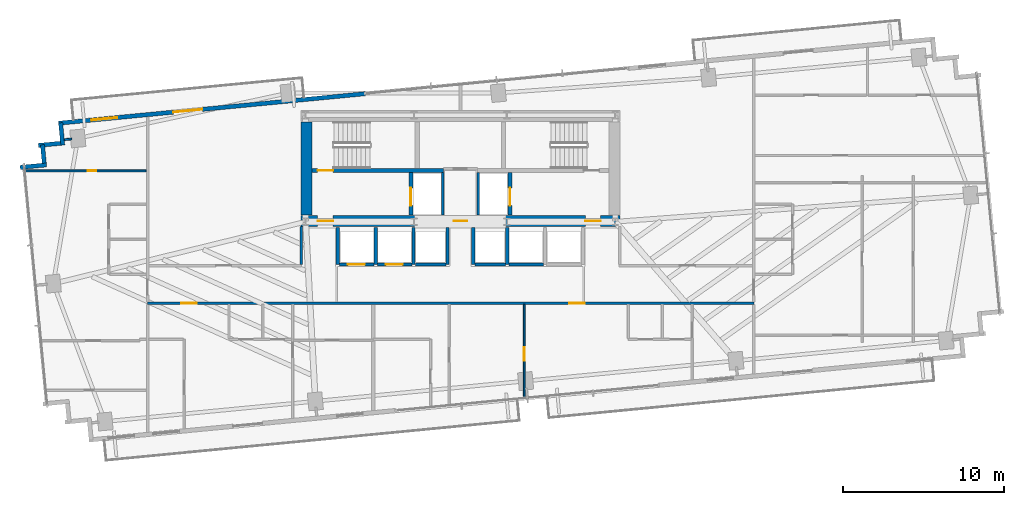
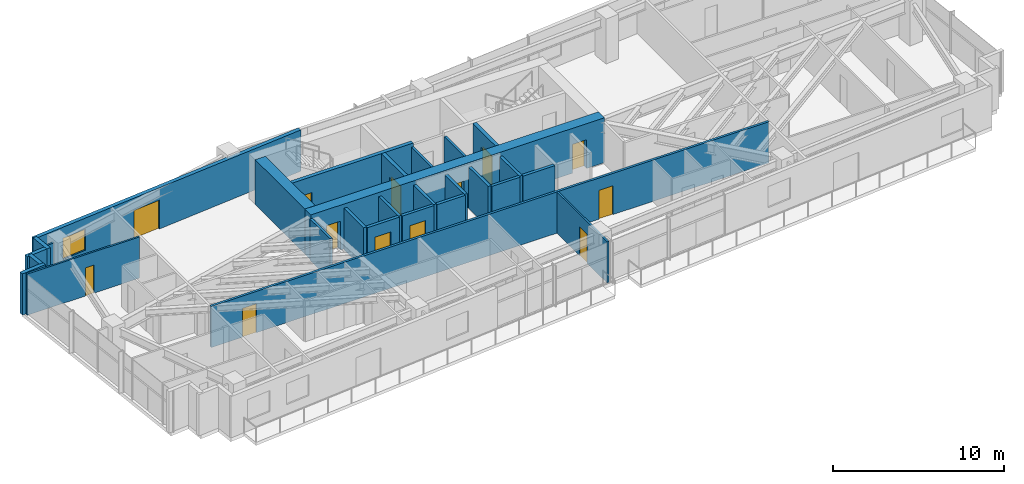
# One storey, part 20 of 25: 28 walls, 13 doors, 1 window, 14 openings.
"""IFC4 building model written with IfcOpenShell, lengths in metres."""

import ifcopenshell
import ifcopenshell.guid

model = None  # the IFC model being written
_history = None  # IfcOwnerHistory: only IFC2X3 demands one
_inside = {}  # id of a spatial element -> (the spatial element, [elements in it])
_under = {}  # id of a project, library or spatial element -> (it, [spatial elements below it])
_declared = {}  # id of a project -> (the project, [libraries it declares])
_typed = {}  # id of a type object -> (the type object, [elements of that type])
_made_of = {}  # id of a material, layer set ... -> (it, [elements and type objects made of it])


def new_model(schema):
    """Start an empty IFC model of exactly this schema.

    Asked for "IFC4X3", IfcOpenShell would pick the latest addendum, in which some entities
    have other attributes; the version numbers below select the first issue.
    IFC2X3 requires an IfcOwnerHistory on every rooted entity: one is made here for all.
    """
    global model, _history
    if schema == "IFC4X3":
        model = ifcopenshell.file(schema_version=(4, 3, 0, 0))
    else:
        model = ifcopenshell.file(schema=schema)
    _inside.clear()
    _under.clear()
    _declared.clear()
    _typed.clear()
    _made_of.clear()
    _history = None
    if model.schema == "IFC2X3":
        org = make("IfcOrganization", Name="unknown")
        user = make(
            "IfcPersonAndOrganization",
            ThePerson=make("IfcPerson", FamilyName="unknown"),
            TheOrganization=org,
        )
        app = make(
            "IfcApplication",
            ApplicationDeveloper=org,
            Version="unknown",
            ApplicationFullName="unknown",
            ApplicationIdentifier="unknown",
        )
        _history = make(
            "IfcOwnerHistory",
            OwningUser=user,
            OwningApplication=app,
            ChangeAction="ADDED",
            CreationDate=0,
        )
    return model


def make(cls, **values):
    """One entity of the class cls with the attributes given. An attribute that is None is left unset."""
    return model.create_entity(
        cls, **{name: value for name, value in values.items() if value is not None}
    )


def rooted(cls, **values):
    """An entity with a GlobalId (a new one), such as an element, a storey or a relation."""
    return make(cls, GlobalId=ifcopenshell.guid.new(), OwnerHistory=_history, **values)


def si_unit(unit_type, name, prefix=None):
    """IfcSIUnit, for example si_unit("LENGTHUNIT", "METRE", prefix="MILLI")."""
    return make("IfcSIUnit", UnitType=unit_type, Prefix=prefix, Name=name)


def assignment(units):
    """IfcUnitAssignment: the units of a project."""
    return None if units is None else make("IfcUnitAssignment", Units=units)


def point(xyz):
    """IfcCartesianPoint."""
    return None if xyz is None else make("IfcCartesianPoint", Coordinates=xyz)


def direction(xyz):
    """IfcDirection."""
    return None if xyz is None else make("IfcDirection", DirectionRatios=xyz)


def frame(location, z_axis=None, x_axis=None):
    """IfcAxis2Placement3D, a coordinate frame: its origin and axes. An axis left out is left unset."""
    return make(
        "IfcAxis2Placement3D",
        Location=point(location),
        Axis=direction(z_axis),
        RefDirection=direction(x_axis),
    )


def frame_2d(location, x_axis=None):
    """IfcAxis2Placement2D, a coordinate frame in the plane: its origin and x axis."""
    return make(
        "IfcAxis2Placement2D", Location=point(location), RefDirection=direction(x_axis)
    )


def origin():
    """The frame at (0, 0, 0) with its axes left unset."""
    return frame((0.0, 0.0, 0.0))


def place(relative_to, where):
    """IfcLocalPlacement: puts the frame where relative to a parent placement (None: the world)."""
    return make(
        "IfcLocalPlacement", PlacementRelTo=relative_to, RelativePlacement=where
    )


def context(
    kind, dimensions, precision=None, world=None, true_north=None, identifier=None
):
    """IfcGeometricRepresentationContext, for example the 3D "Model" context."""
    return make(
        "IfcGeometricRepresentationContext",
        ContextIdentifier=identifier,
        ContextType=kind,
        CoordinateSpaceDimension=dimensions,
        Precision=precision,
        WorldCoordinateSystem=world,
        TrueNorth=true_north,
    )


def subcontext(parent, identifier, kind, view, scale=None):
    """IfcGeometricRepresentationSubContext, for example "Body" below "Model"."""
    return make(
        "IfcGeometricRepresentationSubContext",
        ContextIdentifier=identifier,
        ContextType=kind,
        ParentContext=parent,
        TargetScale=scale,
        TargetView=view,
    )


def project(units=None, contexts=None):
    """IfcProject with its units and contexts."""
    return rooted(
        "IfcProject",
        Name="project",
        RepresentationContexts=contexts,
        UnitsInContext=assignment(units),
    )


def spatial(cls, under=None, at=None, **own):
    """A site, building, storey or space (cls), placed at a placement, below another one or the project."""
    s = rooted(cls, ObjectPlacement=at, **own)
    if under is not None:
        _under.setdefault(under.id(), (under, []))[1].append(s)
    return s


def profile(cls, at=None, kind="AREA", **sizes):
    """A parametric profile (cls). Its sizes go by their IFC names, for example OverallWidth=200.0."""
    return make(cls, ProfileType=kind, Position=at, **sizes)


def rectangle(**sizes):
    """IfcRectangleProfileDef."""
    return profile("IfcRectangleProfileDef", **sizes)


def extrude(swept, where, along, depth):
    """IfcExtrudedAreaSolid: the profile swept, set in the frame where, extruded along a direction by depth."""
    return make(
        "IfcExtrudedAreaSolid",
        SweptArea=swept,
        Position=where,
        ExtrudedDirection=direction(along),
        Depth=depth,
    )


def shape(context_of_items, identifier, shape_type, items):
    """IfcShapeRepresentation: the items that make up one representation, for example the "Body"."""
    return make(
        "IfcShapeRepresentation",
        ContextOfItems=context_of_items,
        RepresentationIdentifier=identifier,
        RepresentationType=shape_type,
        Items=items,
    )


def source(mapping_origin, context_of_items, identifier, shape_type, items):
    """IfcRepresentationMap: a shape defined once, which mapped items show again and again."""
    return make(
        "IfcRepresentationMap",
        MappingOrigin=mapping_origin,
        MappedRepresentation=shape(context_of_items, identifier, shape_type, items),
    )


def transform(
    local_origin,
    x_axis=None,
    y_axis=None,
    z_axis=None,
    scale=None,
    scale2=None,
    scale3=None,
    uniform=True,
):
    """IfcCartesianTransformationOperator3D, or its non-uniform kind. x_axis, y_axis, z_axis: its Axis1, 2, 3."""
    if uniform:
        return make(
            "IfcCartesianTransformationOperator3D",
            Axis1=direction(x_axis),
            Axis2=direction(y_axis),
            LocalOrigin=point(local_origin),
            Scale=scale,
            Axis3=direction(z_axis),
        )
    return make(
        "IfcCartesianTransformationOperator3DnonUniform",
        Axis1=direction(x_axis),
        Axis2=direction(y_axis),
        LocalOrigin=point(local_origin),
        Scale=scale,
        Axis3=direction(z_axis),
        Scale2=scale2,
        Scale3=scale3,
    )


def mapped(mapping_source, mapping_target):
    """IfcMappedItem: shows the shape of a source again, moved by a transform."""
    return make(
        "IfcMappedItem", MappingSource=mapping_source, MappingTarget=mapping_target
    )


def material(Name=None, Category=None):
    """IfcMaterial."""
    return make("IfcMaterial", Name=Name, Category=Category)


def layer(
    of_material, thickness, ventilated=None, Name=None, Category=None, Priority=None
):
    """IfcMaterialLayer: one layer of a wall or slab, of a material (None: an air gap)."""
    return make(
        "IfcMaterialLayer",
        Material=of_material,
        LayerThickness=thickness,
        IsVentilated=ventilated,
        Name=Name,
        Category=Category,
        Priority=Priority,
    )


def layer_set(layers, Name=None):
    """IfcMaterialLayerSet."""
    return make("IfcMaterialLayerSet", MaterialLayers=layers, LayerSetName=Name)


def made_of(thing, what):
    """Note that an element or type object is made of a material, layer set ...; save() writes the relation."""
    if what is not None:
        _made_of.setdefault(what.id(), (what, []))[1].append(thing)
    return thing


def type_object(cls, material=None, **own):
    """A type object (cls), such as IfcWallType, which elements share."""
    return made_of(rooted(cls, **own), material)


def type_shapes(of_type, sources):
    """Give a type object the sources (RepresentationMaps) that its elements show as mapped items."""
    of_type.RepresentationMaps = sources


def element(
    cls,
    number,
    at=None,
    inside=None,
    cuts=None,
    type_object=None,
    material=None,
    context=None,
    identifier="Body",
    shape_type=None,
    held_by="IfcProductDefinitionShape",
    body=None,
    shapes=None,
    **own,
):
    """One element of the class cls, such as IfcWall. Its Tag is "e" and its number.

    at: its placement. inside: the storey or other place that contains it. cuts: it is an
    opening in that element (IfcRelVoidsElement). A single representation is given by context,
    identifier, shape_type and body (its items); several are given by shapes. held_by: the class
    of the entity that holds the representations. save() writes the other relations.
    """
    e = rooted(cls, Tag="e%d" % number, ObjectPlacement=at, **own)
    if body is not None:
        shapes = [shape(context, identifier, shape_type, body)]
    if shapes is not None:
        e.Representation = make(held_by, Representations=shapes)
    if inside is not None:
        _inside.setdefault(inside.id(), (inside, []))[1].append(e)
    if cuts is not None:
        rooted(
            "IfcRelVoidsElement", RelatingBuildingElement=cuts, RelatedOpeningElement=e
        )
    if type_object is not None:
        _typed.setdefault(type_object.id(), (type_object, []))[1].append(e)
    return made_of(e, material)


def fill(opening, filler):
    """IfcRelFillsElement: the door or window that sits in an opening."""
    return rooted(
        "IfcRelFillsElement",
        RelatingOpeningElement=opening,
        RelatedBuildingElement=filler,
    )


def aggregate(whole, parts):
    """IfcRelAggregates: a whole, such as a stair, and the parts it consists of."""
    return rooted("IfcRelAggregates", RelatingObject=whole, RelatedObjects=parts)


def save(model, path):
    """Write the relations noted so far, then the file.

    IfcRelAggregates (storeys below a building ...), IfcRelContainedInSpatialStructure (elements
    in a storey), IfcRelDefinesByType, IfcRelAssociatesMaterial and IfcRelDeclares: one each for
    every whole, place, type object, material and project.
    """
    for whole, parts in _under.values():
        aggregate(whole, parts)
    for where, things in _inside.values():
        rooted(
            "IfcRelContainedInSpatialStructure",
            RelatedElements=things,
            RelatingStructure=where,
        )
    for kind, things in _typed.values():
        rooted("IfcRelDefinesByType", RelatedObjects=things, RelatingType=kind)
    for what, things in _made_of.values():
        rooted("IfcRelAssociatesMaterial", RelatedObjects=things, RelatingMaterial=what)
    for by, libraries in _declared.values():
        rooted("IfcRelDeclares", RelatingContext=by, RelatedDefinitions=libraries)
    model.write(path)


model = new_model("IFC4")

# Units and contexts
model_context = context("Model", 3, precision=1e-05, world=origin(), true_north=direction((0.0, 1.0)))
body_context = subcontext(model_context, "Body", "Model", "MODEL_VIEW")
ifc_project = project(units=[si_unit("LENGTHUNIT", "METRE"), si_unit("AREAUNIT", "SQUARE_METRE"), si_unit("VOLUMEUNIT", "CUBIC_METRE"), si_unit("PLANEANGLEUNIT", "RADIAN"), si_unit("MASSUNIT", "GRAM", prefix="KILO")], contexts=[model_context])

# Site, building, storey
site_placement = place(None, origin())
site = spatial("IfcSite", under=ifc_project, at=site_placement, CompositionType="ELEMENT")
building_placement = place(site_placement, origin())
building = spatial("IfcBuilding", under=site, at=building_placement, Name="Astriad Promenade Condominiums", CompositionType="ELEMENT")
storey_placement = place(building_placement, frame((0.0, 0.0, 81.0)))
storey = spatial("IfcBuildingStorey", under=building, at=storey_placement, Name="L22", CompositionType="ELEMENT", Elevation=81.0)

# Wall, openings, doors
ifc_material_1 = material(Name="Concrete C60/75", Category="concrete")
ifc_layer_1 = layer(ifc_material_1, 0.699951171875)
ifc_layer_set_1 = layer_set([ifc_layer_1], Name="Concrete C60/75")
wall_type_1 = type_object("IfcWallType", Name="CW-SHEAR-700", PredefinedType="SHEAR", material=ifc_layer_set_1)
wall_1_placement = place(storey_placement, frame((26.10009765625, 17.449951171875, 0.0), z_axis=(0.0, 0.0, 1.0), x_axis=(1.0, 0.0, 0.0)))
wall_1 = element("IfcWall", 1, at=wall_1_placement, inside=storey, type_object=wall_type_1, Name="CW-CORE-S-L22", PredefinedType="SHEAR", context=body_context, shape_type="SweptSolid", body=[
    extrude(rectangle(XDim=19.7998046875, YDim=0.699951171875, at=frame_2d((9.89990234375, 0.0))), origin(), (0.0, 0.0, 1.0), 3.199951171875),
])
opening_1_placement = place(wall_1_placement, frame((1.050048828125, 0.0, 0.0)))
opening_1 = element("IfcOpeningElement", 2, at=opening_1_placement, cuts=wall_1, Name="Opening FD90-ST-095", PredefinedType="OPENING", context=body_context, shape_type="SweptSolid", body=[
    extrude(rectangle(XDim=0.949951171875, YDim=2.06005859375, at=frame_2d((0.47509765625, 1.030029296875))), frame((0.0, 0.35986328125, 0.0), z_axis=(0.0, -1.0, 0.0), x_axis=(1.0, 0.0, 0.0)), (0.0, 0.0, 1.0), 0.719970703125),
])
opening_2_placement = place(wall_1_placement, frame((9.47998046875, 0.0, 0.0)))
opening_2 = element("IfcOpeningElement", 3, at=opening_2_placement, cuts=wall_1, Name="Opening FD60-ULOW-085", PredefinedType="OPENING", context=body_context, shape_type="SweptSolid", body=[
    extrude(rectangle(XDim=0.85009765625, YDim=2.0, at=frame_2d((0.425048828125, 1.0))), frame((0.0, 0.35986328125, 0.0), z_axis=(0.0, -1.0, 0.0), x_axis=(1.0, 0.0, 0.0)), (0.0, 0.0, 1.0), 0.719970703125),
])
opening_3_placement = place(wall_1_placement, frame((17.64990234375, 0.0, 0.0)))
opening_3 = element("IfcOpeningElement", 4, at=opening_3_placement, cuts=wall_1, Name="Opening FD90-ST-095", PredefinedType="OPENING", context=body_context, shape_type="SweptSolid", body=[
    extrude(rectangle(XDim=0.949951171875, YDim=2.06005859375, at=frame_2d((0.47509765625, 1.030029296875))), frame((0.0, 0.35986328125, 0.0), z_axis=(0.0, -1.0, 0.0), x_axis=(1.0, 0.0, 0.0)), (0.0, 0.0, 1.0), 0.719970703125),
])
ifc_material_2 = material(Name="Fire-Rated Hollow Metal Stair Door")
door_type_1 = type_object("IfcDoorType", Name="FD90-ST-095", OperationType="NOTDEFINED", PredefinedType="DOOR", material=ifc_material_2)
shared_shape_1 = source(origin(), body_context, "Body", "SweptSolid", [
    extrude(rectangle(XDim=0.949951171875, YDim=2.06005859375, at=frame_2d((0.47509765625, 1.030029296875))), frame((0.0, 0.02490234375, 0.0), z_axis=(0.0, -1.0, 0.0), x_axis=(1.0, 0.0, 0.0)), (0.0, 0.0, 1.0), 0.050048828125),
])
type_shapes(door_type_1, [shared_shape_1])
door_1_placement = place(opening_1_placement, origin())
door_1 = element("IfcDoor", 5, at=door_1_placement, inside=storey, type_object=door_type_1, Name="D-FFW-L22", OperationType="SINGLE_SWING_LEFT", OverallHeight=2.06005859375, OverallWidth=0.949951171875, PredefinedType="DOOR", context=body_context, shape_type="MappedRepresentation", body=[
    mapped(shared_shape_1, transform((0.0, 0.0, 0.0), scale=1.0)),
])
fill(opening_1, door_1)
door_2_placement = place(opening_3_placement, origin())
door_2 = element("IfcDoor", 6, at=door_2_placement, inside=storey, type_object=door_type_1, Name="D-FFE-L22", OperationType="SINGLE_SWING_RIGHT", OverallHeight=2.06005859375, OverallWidth=0.949951171875, PredefinedType="DOOR", context=body_context, shape_type="MappedRepresentation", body=[
    mapped(shared_shape_1, transform((0.0, 0.0, 0.0), scale=1.0)),
])
fill(opening_3, door_2)
ifc_material_3 = material(Name="Solid-Core Low-Headroom Fire Door")
door_type_2 = type_object("IfcDoorType", Name="FD60-ULOW-085", OperationType="NOTDEFINED", PredefinedType="DOOR", material=ifc_material_3)
shared_shape_2 = source(origin(), body_context, "Body", "SweptSolid", [
    extrude(rectangle(XDim=0.85009765625, YDim=2.0, at=frame_2d((0.425048828125, 1.0))), frame((0.0, 0.02490234375, 0.0), z_axis=(0.0, -1.0, 0.0), x_axis=(1.0, 0.0, 0.0)), (0.0, 0.0, 1.0), 0.050048828125),
])
type_shapes(door_type_2, [shared_shape_2])
door_3_placement = place(opening_2_placement, origin())
door_3 = element("IfcDoor", 7, at=door_3_placement, inside=storey, type_object=door_type_2, Name="D-CSL-L22", OperationType="SINGLE_SWING_RIGHT", OverallHeight=2.0, OverallWidth=0.85009765625, PredefinedType="DOOR", context=body_context, shape_type="MappedRepresentation", body=[
    mapped(shared_shape_2, transform((0.0, 0.0, 0.0), scale=1.0)),
])
fill(opening_2, door_3)

# Wall
wall_2_placement = place(storey_placement, frame((26.449951171875, 17.802001953125, 0.0), z_axis=(0.0, 0.0, 1.0), x_axis=(0.0, 1.0, 0.0)))
element("IfcWall", 8, at=wall_2_placement, inside=storey, type_object=wall_type_1, Name="CW-CORE-W-L22", PredefinedType="SHEAR", context=body_context, shape_type="SweptSolid", body=[
    extrude(rectangle(XDim=5.7958984375, YDim=0.699951171875, at=frame_2d((2.89794921875, 0.0))), origin(), (0.0, 0.0, 1.0), 3.199951171875),
])

# Wall, opening, door
ifc_material_4 = material(Name="Concrete C50/60", Category="concrete")
ifc_layer_2 = layer(ifc_material_4, 0.25)
ifc_layer_set_2 = layer_set([ifc_layer_2], Name="Concrete C50/60")
wall_type_2 = type_object("IfcWallType", Name="WALL-CORE-INT-250", PredefinedType="SOLIDWALL", material=ifc_layer_set_2)
wall_3_placement = place(storey_placement, frame((26.802001953125, 20.574951171875, 0.0), z_axis=(0.0, 0.0, 1.0), x_axis=(1.0, 0.0, 0.0)))
wall_3 = element("IfcWall", 9, at=wall_3_placement, inside=storey, type_object=wall_type_2, Name="CW-INT-H1-L22", PredefinedType="SOLIDWALL", context=body_context, shape_type="SweptSolid", body=[
    extrude(rectangle(XDim=8.14794921875, YDim=0.25, at=frame_2d((4.073974609375, 0.0))), origin(), (0.0, 0.0, 1.0), 3.199951171875),
])
opening_4_placement = place(wall_3_placement, frame((0.347900390625, 0.0, 0.0)))
opening_4 = element("IfcOpeningElement", 10, at=opening_4_placement, cuts=wall_3, Name="Opening FD90-ST-095", PredefinedType="OPENING", context=body_context, shape_type="SweptSolid", body=[
    extrude(rectangle(XDim=0.949951171875, YDim=2.06005859375, at=frame_2d((0.47509765625, 1.030029296875))), frame((0.0, 0.135009765625, 0.0), z_axis=(0.0, -1.0, 0.0), x_axis=(1.0, 0.0, 0.0)), (0.0, 0.0, 1.0), 0.27001953125),
])
door_4_placement = place(opening_4_placement, origin())
door_4 = element("IfcDoor", 11, at=door_4_placement, inside=storey, type_object=door_type_1, Name="D-ST1-L22", OperationType="SINGLE_SWING_LEFT", OverallHeight=2.06005859375, OverallWidth=0.949951171875, PredefinedType="DOOR", context=body_context, shape_type="MappedRepresentation", body=[
    mapped(shared_shape_1, transform((0.0, 0.0, 0.0), scale=1.0)),
])
fill(opening_4, door_4)

wall_4_placement = place(storey_placement, frame((32.925048828125, 17.802001953125, 0.0), z_axis=(0.0, 0.0, 1.0), x_axis=(0.0, 1.0, 0.0)))
wall_4 = element("IfcWall", 12, at=wall_4_placement, inside=storey, type_object=wall_type_2, Name="CW-FFL1-W-L22", PredefinedType="SOLIDWALL", context=body_context, shape_type="SweptSolid", body=[
    extrude(rectangle(XDim=2.64599609375, YDim=0.25, at=frame_2d((1.322998046875, 0.0))), origin(), (0.0, 0.0, 1.0), 3.199951171875),
])
opening_5_placement = place(wall_4_placement, frame((0.597900390625, 0.0, 0.0)))
opening_5 = element("IfcOpeningElement", 13, at=opening_5_placement, cuts=wall_4, Name="Opening LD-FFL-1122", PredefinedType="OPENING", context=body_context, shape_type="SweptSolid", body=[
    extrude(rectangle(XDim=1.10009765625, YDim=2.080078125, at=frame_2d((0.550048828125, 1.0400390625))), frame((0.0, 0.135009765625, 0.0), z_axis=(0.0, -1.0, 0.0), x_axis=(1.0, 0.0, 0.0)), (0.0, 0.0, 1.0), 0.27001953125),
])
ifc_material_5 = material(Name="Brushed Stainless Steel Fire Elevator Landing Door", Category="steel")
door_type_3 = type_object("IfcDoorType", Name="LD-FFL-1122", OperationType="NOTDEFINED", PredefinedType="DOOR", material=ifc_material_5)
shared_shape_3 = source(origin(), body_context, "Body", "SweptSolid", [
    extrude(rectangle(XDim=1.10009765625, YDim=2.080078125, at=frame_2d((0.550048828125, 1.0400390625))), frame((0.0, 0.02490234375, 0.0), z_axis=(0.0, -1.0, 0.0), x_axis=(1.0, 0.0, 0.0)), (0.0, 0.0, 1.0), 0.050048828125),
])
type_shapes(door_type_3, [shared_shape_3])
door_5_placement = place(opening_5_placement, origin())
door_5 = element("IfcDoor", 14, at=door_5_placement, inside=storey, type_object=door_type_3, Name="Elevator Landing Door FFL-1 (L22)", OperationType="SLIDING_TO_LEFT", OverallHeight=2.080078125, OverallWidth=1.10009765625, PredefinedType="DOOR", context=body_context, shape_type="MappedRepresentation", body=[
    mapped(shared_shape_3, transform((0.0, 0.0, 0.0), scale=1.0)),
])
fill(opening_5, door_5)

wall_5_placement = place(storey_placement, frame((39.074951171875, 17.802001953125, 0.0), z_axis=(0.0, 0.0, 1.0), x_axis=(0.0, 1.0, 0.0)))
wall_5 = element("IfcWall", 15, at=wall_5_placement, inside=storey, type_object=wall_type_2, Name="CW-FFL2-E-L22", PredefinedType="SOLIDWALL", context=body_context, shape_type="SweptSolid", body=[
    extrude(rectangle(XDim=2.64599609375, YDim=0.25, at=frame_2d((1.322998046875, 0.0))), origin(), (0.0, 0.0, 1.0), 3.199951171875),
])
opening_6_placement = place(wall_5_placement, frame((0.597900390625, 0.0, 0.0)))
opening_6 = element("IfcOpeningElement", 16, at=opening_6_placement, cuts=wall_5, Name="Opening LD-FFL-1122", PredefinedType="OPENING", context=body_context, shape_type="SweptSolid", body=[
    extrude(rectangle(XDim=1.10009765625, YDim=2.080078125, at=frame_2d((0.550048828125, 1.0400390625))), frame((0.0, 0.135009765625, 0.0), z_axis=(0.0, -1.0, 0.0), x_axis=(1.0, 0.0, 0.0)), (0.0, 0.0, 1.0), 0.27001953125),
])
door_6_placement = place(opening_6_placement, origin())
door_6 = element("IfcDoor", 17, at=door_6_placement, inside=storey, type_object=door_type_3, Name="Elevator Landing Door FFL-2 (L22)", OperationType="SLIDING_TO_RIGHT", OverallHeight=2.080078125, OverallWidth=1.10009765625, PredefinedType="DOOR", context=body_context, shape_type="MappedRepresentation", body=[
    mapped(shared_shape_3, transform((0.0, 0.0, 0.0), scale=1.0)),
])
fill(opening_6, door_6)

# Walls
ifc_material_6 = material(Name="Fire-Rated Gypsum Partition")
ifc_layer_3 = layer(ifc_material_6, 0.159912109375)
ifc_layer_set_3 = layer_set([ifc_layer_3], Name="Fire-Rated Gypsum Partition")
wall_type_3 = type_object("IfcWallType", Name="WALL-CORR-160", PredefinedType="PARTITIONING", material=ifc_layer_set_3)
for number, where, z_axis, x_axis, name in (
    (18, (34.89990234375, 17.802001953125, 0.0), (0.0, 0.0, 1.0), (0.0, 1.0, 0.0), "CW-FFL1-E-L22"),
    (19, (37.10009765625, 17.802001953125, 0.0), (0.0, 0.0, 1.0), (0.0, 1.0, 0.0), "CW-FFL2-W-L22"),
):
    element("IfcWall", number, at=place(storey_placement, frame(where, z_axis=z_axis, x_axis=x_axis)), inside=storey, type_object=wall_type_3, Name=name, PredefinedType="PARTITIONING", context=body_context, shape_type="SweptSolid", body=[
        extrude(rectangle(XDim=2.64599609375, YDim=0.159912109375, at=frame_2d((1.322998046875, 0.0))), origin(), (0.0, 0.0, 1.0), 2.93994140625),
    ])

# Wall, openings, doors
wall_6_placement = place(storey_placement, frame((16.60009765625, 12.35009765625, 0.0), z_axis=(0.0, 0.0, 1.0), x_axis=(1.0, 0.0, 0.0)))
wall_6 = element("IfcWall", 20, at=wall_6_placement, inside=storey, type_object=wall_type_3, Name="PT-COR-S-L22", PredefinedType="PARTITIONING", context=body_context, shape_type="SweptSolid", body=[
    extrude(rectangle(XDim=37.599853515625, YDim=0.159912109375, at=frame_2d((18.7998046875, 0.0))), origin(), (0.0, 0.0, 1.0), 2.93994140625),
])
opening_7_placement = place(wall_6_placement, frame((2.091064453125, 0.0, 0.0)))
opening_7 = element("IfcOpeningElement", 21, at=opening_7_placement, cuts=wall_6, Name="Opening FD60-APT-095", PredefinedType="OPENING", context=body_context, shape_type="SweptSolid", body=[
    extrude(rectangle(XDim=0.949951171875, YDim=2.06005859375, at=frame_2d((0.47509765625, 1.030029296875))), frame((0.0, 0.08984375, 0.0), z_axis=(0.0, -1.0, 0.0), x_axis=(1.0, 0.0, 0.0)), (0.0, 0.0, 1.0), 0.179931640625),
])
opening_8_placement = place(wall_6_placement, frame((26.14599609375, 0.0, 0.0)))
opening_8 = element("IfcOpeningElement", 22, at=opening_8_placement, cuts=wall_6, Name="Opening FD60-APT-095", PredefinedType="OPENING", context=body_context, shape_type="SweptSolid", body=[
    extrude(rectangle(XDim=0.949951171875, YDim=2.06005859375, at=frame_2d((0.47509765625, 1.030029296875))), frame((0.0, 0.08984375, 0.0), z_axis=(0.0, -1.0, 0.0), x_axis=(1.0, 0.0, 0.0)), (0.0, 0.0, 1.0), 0.179931640625),
])
ifc_material_7 = material(Name="Solid-Core Acoustic Timber Residence Entry Door", Category="wood")
door_type_4 = type_object("IfcDoorType", Name="FD60-APT-095", OperationType="NOTDEFINED", PredefinedType="DOOR", material=ifc_material_7)
shared_shape_4 = source(origin(), body_context, "Body", "SweptSolid", [
    extrude(rectangle(XDim=0.949951171875, YDim=2.06005859375, at=frame_2d((0.47509765625, 1.030029296875))), frame((0.0, 0.02490234375, 0.0), z_axis=(0.0, -1.0, 0.0), x_axis=(1.0, 0.0, 0.0)), (0.0, 0.0, 1.0), 0.050048828125),
])
type_shapes(door_type_4, [shared_shape_4])
door_7_placement = place(opening_7_placement, origin())
door_7 = element("IfcDoor", 23, at=door_7_placement, inside=storey, type_object=door_type_4, Name="D-ENT-L22-S1", OperationType="SINGLE_SWING_RIGHT", OverallHeight=2.06005859375, OverallWidth=0.949951171875, PredefinedType="DOOR", context=body_context, shape_type="MappedRepresentation", body=[
    mapped(shared_shape_4, transform((0.0, 0.0, 0.0), scale=1.0)),
])
fill(opening_7, door_7)
door_8_placement = place(opening_8_placement, origin())
door_8 = element("IfcDoor", 24, at=door_8_placement, inside=storey, type_object=door_type_4, Name="D-ENT-L22-S2", OperationType="SINGLE_SWING_LEFT", OverallHeight=2.06005859375, OverallWidth=0.949951171875, PredefinedType="DOOR", context=body_context, shape_type="MappedRepresentation", body=[
    mapped(shared_shape_4, transform((0.0, 0.0, 0.0), scale=1.0)),
])
fill(opening_8, door_8)

# Walls
wall_7_placement = place(storey_placement, frame((26.1201171875, 14.761962890625, 0.0), z_axis=(0.0, 0.0, 1.0), x_axis=(0.0, 1.0, 0.0)))
element("IfcWall", 25, at=wall_7_placement, inside=storey, type_object=wall_type_3, Name="PT-WSPUR-W-L22", PredefinedType="PARTITIONING", context=body_context, shape_type="SweptSolid", body=[
    extrude(rectangle(XDim=2.3359375, YDim=0.159912109375, at=frame_2d((1.16796875, 0.0))), origin(), (0.0, 0.0, 1.0), 2.93994140625),
])
ifc_material_8 = material(Name="Precast concrete C50/60", Category="concrete")
ifc_layer_4 = layer(ifc_material_8, 0.260009765625)
ifc_layer_set_4 = layer_set([ifc_layer_4], Name="Precast concrete C50/60")
wall_type_4 = type_object("IfcWallType", Name="WALL-EXT-TWR-260", PredefinedType="STANDARD", material=ifc_layer_set_4)
wall_8_placement = place(storey_placement, frame((8.701416015625, 20.767333984375, 0.0), z_axis=(0.0, 0.0, 1.0), x_axis=(0.995394563142, 0.095862733462, 0.0)))
element("IfcWall", 26, at=wall_8_placement, inside=storey, type_object=wall_type_4, Name="W-SER-L22-04", PredefinedType="STANDARD", context=body_context, shape_type="SweptSolid", body=[
    extrude(rectangle(XDim=1.64013671875, YDim=0.260009765625, at=frame_2d((0.820068359375, 0.0))), origin(), (0.0, 0.0, 1.0), 2.93994140625),
])
wall_9_placement = place(storey_placement, frame((10.193359375, 21.026611328125, 0.0), z_axis=(0.0, 0.0, 1.0), x_axis=(-0.095740721699, 0.995406306092, 0.0)))
element("IfcWall", 27, at=wall_9_placement, inside=storey, type_object=wall_type_4, Name="W-SER-L22-05", PredefinedType="STANDARD", context=body_context, shape_type="SweptSolid", body=[
    extrude(rectangle(XDim=1.150146484375, YDim=0.260009765625, at=frame_2d((0.5751953125, 0.0))), origin(), (0.0, 0.0, 1.0), 2.93994140625),
])
wall_10_placement = place(storey_placement, frame((9.825927734375, 22.13134765625, 0.0), z_axis=(0.0, 0.0, 1.0), x_axis=(0.995389446633, 0.095915846097, 0.0)))
element("IfcWall", 28, at=wall_10_placement, inside=storey, type_object=wall_type_4, Name="W-SER-L22-06", PredefinedType="STANDARD", context=body_context, shape_type="SweptSolid", body=[
    extrude(rectangle(XDim=1.394775390625, YDim=0.260009765625, at=frame_2d((0.697265625, 0.0))), origin(), (0.0, 0.0, 1.0), 2.93994140625),
])
wall_11_placement = place(storey_placement, frame((11.34130859375, 22.146728515625, 0.0), z_axis=(0.0, 0.0, 1.0), x_axis=(-0.09589913835, 0.995391056452, 0.0)))
element("IfcWall", 29, at=wall_11_placement, inside=storey, type_object=wall_type_4, Name="W-SER-L22-07", PredefinedType="STANDARD", context=body_context, shape_type="SweptSolid", body=[
    extrude(rectangle(XDim=1.39501953125, YDim=0.260009765625, at=frame_2d((0.697509765625, 0.0))), origin(), (0.0, 0.0, 1.0), 2.93994140625),
])

# Wall, openings, door, window
wall_12_placement = place(storey_placement, frame((11.07958984375, 23.508056640625, 0.0), z_axis=(0.0, 0.0, 1.0), x_axis=(0.995396638587, 0.095841180552, 0.0)))
wall_12 = element("IfcWall", 30, at=wall_12_placement, inside=storey, type_object=wall_type_4, Name="W-EXT-L22-N1", PredefinedType="STANDARD", context=body_context, shape_type="SweptSolid", body=[
    extrude(rectangle(XDim=19.110107421875, YDim=0.260009765625, at=frame_2d((9.55517578125, 0.0))), origin(), (0.0, 0.0, 1.0), 2.93994140625),
])
opening_9_placement = place(wall_12_placement, frame((7.158935546875, 0.0, 0.0)))
opening_9 = element("IfcOpeningElement", 31, at=opening_9_placement, cuts=wall_12, Name="Opening BD-1822-SLD", PredefinedType="OPENING", context=body_context, shape_type="SweptSolid", body=[
    extrude(rectangle(XDim=1.800048828125, YDim=2.06005859375, at=frame_2d((0.89990234375, 1.030029296875))), frame((0.0, 0.139892578125, 0.0), z_axis=(0.0, -1.0, 0.0), x_axis=(1.0, 0.0, 0.0)), (0.0, 0.0, 1.0), 0.280029296875),
])
opening_10_placement = place(wall_12_placement, frame((2.050048828125, 0.0, 0.64990234375)))
opening_10 = element("IfcOpeningElement", 32, at=opening_10_placement, cuts=wall_12, Name="Opening WIN-TWR-1620", PredefinedType="OPENING", context=body_context, shape_type="SweptSolid", body=[
    extrude(rectangle(XDim=1.60009765625, YDim=1.5, at=frame_2d((0.800048828125, 0.75))), frame((0.0, 0.139892578125, 0.0), z_axis=(0.0, -1.0, 0.0), x_axis=(1.0, 0.0, 0.0)), (0.0, 0.0, 1.0), 0.280029296875),
])
ifc_material_9 = material(Name="Thermally Broken Aluminium Sliding Balcony Door", Category="aluminium")
door_type_5 = type_object("IfcDoorType", Name="BD-1822-SLD", OperationType="NOTDEFINED", PredefinedType="DOOR", material=ifc_material_9)
shared_shape_5 = source(origin(), body_context, "Body", "SweptSolid", [
    extrude(rectangle(XDim=1.800048828125, YDim=2.06005859375, at=frame_2d((0.89990234375, 1.030029296875))), frame((0.0, 0.02490234375, 0.0), z_axis=(0.0, -1.0, 0.0), x_axis=(1.0, 0.0, 0.0)), (0.0, 0.0, 1.0), 0.050048828125),
])
type_shapes(door_type_5, [shared_shape_5])
door_9_placement = place(opening_9_placement, origin())
door_9 = element("IfcDoor", 33, at=door_9_placement, inside=storey, type_object=door_type_5, Name="BD-L22-NW", OperationType="SLIDING_TO_LEFT", OverallHeight=2.06005859375, OverallWidth=1.800048828125, PredefinedType="DOOR", context=body_context, shape_type="MappedRepresentation", body=[
    mapped(shared_shape_5, transform((0.0, 0.0, 0.0), scale=1.0)),
])
fill(opening_9, door_9)
ifc_material_10 = material(Name="Dark Tinted Triple-Glazed Aluminium Window", Category="aluminium")
window_type = type_object("IfcWindowType", Name="WIN-TWR-1620", PartitioningType="SINGLE_PANEL", PredefinedType="WINDOW", material=ifc_material_10)
shared_shape_6 = source(origin(), body_context, "Body", "SweptSolid", [
    extrude(rectangle(XDim=1.60009765625, YDim=1.5, at=frame_2d((0.800048828125, 0.75))), frame((0.0, 0.030029296875, 0.0), z_axis=(0.0, -1.0, 0.0), x_axis=(1.0, 0.0, 0.0)), (0.0, 0.0, 1.0), 0.06005859375),
])
type_shapes(window_type, [shared_shape_6])
window_placement = place(opening_10_placement, origin())
window = element("IfcWindow", 34, at=window_placement, inside=storey, type_object=window_type, Name="WIN-L22-NW", OverallHeight=1.5, OverallWidth=1.60009765625, PartitioningType="SINGLE_PANEL", PredefinedType="WINDOW", context=body_context, shape_type="MappedRepresentation", body=[
    mapped(shared_shape_6, transform((0.0, 0.0, 0.0), scale=1.0)),
])
fill(opening_10, window)

# Wall, opening, door
ifc_material_11 = material(Name="Acoustic Metal-Stud Gypsum Partition")
ifc_layer_5 = layer(ifc_material_11, 0.1201171875)
ifc_layer_set_5 = layer_set([ifc_layer_5], Name="Acoustic Metal-Stud Gypsum Partition")
wall_type_5 = type_object("IfcWallType", Name="WALL-PART-120", PredefinedType="PARTITIONING", material=ifc_layer_set_5)
wall_13_placement = place(storey_placement, frame((39.9609375, 6.407470703125, 0.0), z_axis=(0.0, 0.0, 1.0), x_axis=(0.0, 1.0, 0.0)))
wall_13 = element("IfcWall", 35, at=wall_13_placement, inside=storey, type_object=wall_type_5, Name="PT-L22-S2-CAP2", PredefinedType="PARTITIONING", context=body_context, shape_type="SweptSolid", body=[
    extrude(rectangle(XDim=5.860595703125, YDim=0.1201171875, at=frame_2d((2.93017578125, 0.0))), origin(), (0.0, 0.0, 1.0), 2.93994140625),
])
opening_11_placement = place(wall_13_placement, frame((2.364501953125, 0.0, 0.0)))
opening_11 = element("IfcOpeningElement", 36, at=opening_11_placement, cuts=wall_13, Name="Opening D-INT-085", PredefinedType="OPENING", context=body_context, shape_type="SweptSolid", body=[
    extrude(rectangle(XDim=0.85009765625, YDim=2.050048828125, at=frame_2d((0.425048828125, 1.02490234375))), frame((0.0, 0.070068359375, 0.0), z_axis=(0.0, -1.0, 0.0), x_axis=(1.0, 0.0, 0.0)), (0.0, 0.0, 1.0), 0.14013671875),
])
ifc_material_12 = material(Name="Painted Solid-Core Timber Room Door", Category="wood")
door_type_6 = type_object("IfcDoorType", Name="D-INT-085", OperationType="NOTDEFINED", PredefinedType="DOOR", material=ifc_material_12)
shared_shape_7 = source(origin(), body_context, "Body", "SweptSolid", [
    extrude(rectangle(XDim=0.85009765625, YDim=2.050048828125, at=frame_2d((0.425048828125, 1.02490234375))), frame((0.0, 0.02490234375, 0.0), z_axis=(0.0, -1.0, 0.0), x_axis=(1.0, 0.0, 0.0)), (0.0, 0.0, 1.0), 0.050048828125),
])
type_shapes(door_type_6, [shared_shape_7])
door_10_placement = place(opening_11_placement, origin())
door_10 = element("IfcDoor", 37, at=door_10_placement, inside=storey, type_object=door_type_6, Name="D-CAP2-L22-S2", OperationType="SINGLE_SWING_RIGHT", OverallHeight=2.050048828125, OverallWidth=0.85009765625, PredefinedType="DOOR", context=body_context, shape_type="MappedRepresentation", body=[
    mapped(shared_shape_7, transform((0.0, 0.0, 0.0), scale=1.0)),
])
fill(opening_11, door_10)

wall_14_placement = place(storey_placement, frame((8.93310546875, 20.552001953125, 0.0), z_axis=(0.0, 0.0, 1.0), x_axis=(1.0, 0.0, 0.0)))
wall_14 = element("IfcWall", 38, at=wall_14_placement, inside=storey, type_object=wall_type_5, Name="PT-L22-W1-B1", PredefinedType="PARTITIONING", context=body_context, shape_type="SweptSolid", body=[
    extrude(rectangle(XDim=7.5849609375, YDim=0.1201171875, at=frame_2d((3.79248046875, 0.0))), origin(), (0.0, 0.0, 1.0), 2.93994140625),
])
opening_12_placement = place(wall_14_placement, frame((3.94384765625, 0.0, 0.0)))
opening_12 = element("IfcOpeningElement", 39, at=opening_12_placement, cuts=wall_14, Name="Opening D-AC-055", PredefinedType="OPENING", context=body_context, shape_type="SweptSolid", body=[
    extrude(rectangle(XDim=0.550048828125, YDim=2.0, at=frame_2d((0.27490234375, 1.0))), frame((0.0, 0.070068359375, 0.0), z_axis=(0.0, -1.0, 0.0), x_axis=(1.0, 0.0, 0.0)), (0.0, 0.0, 1.0), 0.14013671875),
])
ifc_material_13 = material(Name="Painted Timber Access Door", Category="wood")
door_type_7 = type_object("IfcDoorType", Name="D-AC-055", OperationType="NOTDEFINED", PredefinedType="DOOR", material=ifc_material_13)
shared_shape_8 = source(origin(), body_context, "Body", "SweptSolid", [
    extrude(rectangle(XDim=0.550048828125, YDim=2.0, at=frame_2d((0.27490234375, 1.0))), frame((0.0, 0.02490234375, 0.0), z_axis=(0.0, -1.0, 0.0), x_axis=(1.0, 0.0, 0.0)), (0.0, 0.0, 1.0), 0.050048828125),
])
type_shapes(door_type_7, [shared_shape_8])
door_11_placement = place(opening_12_placement, origin())
door_11 = element("IfcDoor", 40, at=door_11_placement, inside=storey, type_object=door_type_7, Name="D-BD1-L22-W1", OperationType="SINGLE_SWING_RIGHT", OverallHeight=2.0, OverallWidth=0.550048828125, PredefinedType="DOOR", context=body_context, shape_type="MappedRepresentation", body=[
    mapped(shared_shape_8, transform((0.0, 0.0, 0.0), scale=1.0)),
])
fill(opening_12, door_11)

# Walls
wall_15_placement = place(storey_placement, frame((11.89697265625, 22.53173828125, 0.0), z_axis=(0.0, 0.0, 1.0), x_axis=(-0.995384576284, -0.09596637586, 0.0)))
element("IfcWall", 41, at=wall_15_placement, inside=storey, type_object=wall_type_5, Name="PT-PIL-L22-PC06-13", PredefinedType="PARTITIONING", context=body_context, shape_type="SweptSolid", body=[
    extrude(rectangle(XDim=0.4580078125, YDim=0.1201171875, at=frame_2d((0.22900390625, 0.0))), origin(), (0.0, 0.0, 1.0), 2.93994140625),
])
ifc_material_14 = material(Name="Gypsum Shaftliner Assembly")
ifc_layer_6 = layer(ifc_material_14, 0.199951171875)
ifc_layer_set_6 = layer_set([ifc_layer_6], Name="Gypsum Shaftliner Assembly")
wall_type_6 = type_object("IfcWallType", Name="WALL-SHAFT-200", PredefinedType="PARTITIONING", material=ifc_layer_set_6)
for number, where, z_axis, x_axis, name in (
    (42, (28.39990234375, 14.75, 0.0), (0.0, 0.0, 1.0), (0.0, 1.0, 0.0), "PL-W-OUT-L22"),
    (43, (30.75, 14.75, 0.0), (0.0, 0.0, 1.0), (0.0, 1.0, 0.0), "PL-L-DIV-L22"),
    (44, (33.10009765625, 14.75, 0.0), (0.0, 0.0, 1.0), (0.0, 1.0, 0.0), "PL-LM-DIV-L22"),
):
    element("IfcWall", number, at=place(storey_placement, frame(where, z_axis=z_axis, x_axis=x_axis)), inside=storey, type_object=wall_type_6, Name=name, PredefinedType="PARTITIONING", context=body_context, shape_type="SweptSolid", body=[
        extrude(rectangle(XDim=2.300048828125, YDim=0.199951171875, at=frame_2d((1.14990234375, 0.0))), origin(), (0.0, 0.0, 1.0), 2.93994140625),
    ])

# Wall, opening, door
wall_16_placement = place(storey_placement, frame((28.501953125, 14.75, 0.0), z_axis=(0.0, 0.0, 1.0), x_axis=(1.0, 0.0, 0.0)))
wall_16 = element("IfcWall", 45, at=wall_16_placement, inside=storey, type_object=wall_type_6, Name="PL-L-FRT-L22", PredefinedType="PARTITIONING", context=body_context, shape_type="SweptSolid", body=[
    extrude(rectangle(XDim=2.14599609375, YDim=0.199951171875, at=frame_2d((1.072998046875, 0.0))), origin(), (0.0, 0.0, 1.0), 2.93994140625),
])
opening_13_placement = place(wall_16_placement, frame((0.52294921875, 0.0, 0.0)))
opening_13 = element("IfcOpeningElement", 46, at=opening_13_placement, cuts=wall_16, Name="Opening LD-PL-10522", PredefinedType="OPENING", context=body_context, shape_type="SweptSolid", body=[
    extrude(rectangle(XDim=1.050048828125, YDim=2.080078125, at=frame_2d((0.52490234375, 1.0400390625))), frame((0.0, 0.10986328125, 0.0), z_axis=(0.0, -1.0, 0.0), x_axis=(1.0, 0.0, 0.0)), (0.0, 0.0, 1.0), 0.219970703125),
])
ifc_material_15 = material(Name="Brushed Bronze Passenger Elevator Landing Door")
door_type_8 = type_object("IfcDoorType", Name="LD-PL-10522", OperationType="NOTDEFINED", PredefinedType="DOOR", material=ifc_material_15)
shared_shape_9 = source(origin(), body_context, "Body", "SweptSolid", [
    extrude(rectangle(XDim=1.050048828125, YDim=2.080078125, at=frame_2d((0.52490234375, 1.0400390625))), frame((0.0, 0.02490234375, 0.0), z_axis=(0.0, -1.0, 0.0), x_axis=(1.0, 0.0, 0.0)), (0.0, 0.0, 1.0), 0.050048828125),
])
type_shapes(door_type_8, [shared_shape_9])
door_12_placement = place(opening_13_placement, origin())
door_12 = element("IfcDoor", 47, at=door_12_placement, inside=storey, type_object=door_type_8, Name="Elevator Landing Door PL-L1 (L22)", OperationType="SLIDING_TO_LEFT", OverallHeight=2.080078125, OverallWidth=1.050048828125, PredefinedType="DOOR", context=body_context, shape_type="MappedRepresentation", body=[
    mapped(shared_shape_9, transform((0.0, 0.0, 0.0), scale=1.0)),
])
fill(opening_13, door_12)

wall_17_placement = place(storey_placement, frame((30.85205078125, 14.75, 0.0), z_axis=(0.0, 0.0, 1.0), x_axis=(1.0, 0.0, 0.0)))
wall_17 = element("IfcWall", 48, at=wall_17_placement, inside=storey, type_object=wall_type_6, Name="PL-L-FRT-L22-S2", PredefinedType="PARTITIONING", context=body_context, shape_type="SweptSolid", body=[
    extrude(rectangle(XDim=2.14599609375, YDim=0.199951171875, at=frame_2d((1.072998046875, 0.0))), origin(), (0.0, 0.0, 1.0), 2.93994140625),
])
opening_14_placement = place(wall_17_placement, frame((0.52294921875, 0.0, 0.0)))
opening_14 = element("IfcOpeningElement", 49, at=opening_14_placement, cuts=wall_17, Name="Opening LD-PL-10522", PredefinedType="OPENING", context=body_context, shape_type="SweptSolid", body=[
    extrude(rectangle(XDim=1.050048828125, YDim=2.080078125, at=frame_2d((0.52490234375, 1.0400390625))), frame((0.0, 0.10986328125, 0.0), z_axis=(0.0, -1.0, 0.0), x_axis=(1.0, 0.0, 0.0)), (0.0, 0.0, 1.0), 0.219970703125),
])
door_13_placement = place(opening_14_placement, origin())
door_13 = element("IfcDoor", 50, at=door_13_placement, inside=storey, type_object=door_type_8, Name="Elevator Landing Door PL-L2 (L22)", OperationType="SLIDING_TO_RIGHT", OverallHeight=2.080078125, OverallWidth=1.050048828125, PredefinedType="DOOR", context=body_context, shape_type="MappedRepresentation", body=[
    mapped(shared_shape_9, transform((0.0, 0.0, 0.0), scale=1.0)),
])
fill(opening_14, door_13)

# Walls
wall_18_placement = place(storey_placement, frame((35.199951171875, 14.75, 0.0), z_axis=(0.0, 0.0, 1.0), x_axis=(0.0, 1.0, 0.0)))
element("IfcWall", 51, at=wall_18_placement, inside=storey, type_object=wall_type_6, Name="PL-M1-E-L22", PredefinedType="PARTITIONING", context=body_context, shape_type="SweptSolid", body=[
    extrude(rectangle(XDim=2.300048828125, YDim=0.199951171875, at=frame_2d((1.14990234375, 0.0))), origin(), (0.0, 0.0, 1.0), 2.93994140625),
])
wall_19_placement = place(storey_placement, frame((33.201904296875, 14.75, 0.0), z_axis=(0.0, 0.0, 1.0), x_axis=(1.0, 0.0, 0.0)))
element("IfcWall", 52, at=wall_19_placement, inside=storey, type_object=wall_type_6, Name="PL-M1-F-L22", PredefinedType="PARTITIONING", context=body_context, shape_type="SweptSolid", body=[
    extrude(rectangle(XDim=1.89599609375, YDim=0.199951171875, at=frame_2d((0.947998046875, 0.0))), origin(), (0.0, 0.0, 1.0), 2.93994140625),
])
for number, where, z_axis, x_axis, name in (
    (53, (36.800048828125, 14.75, 0.0), (0.0, 0.0, 1.0), (0.0, 1.0, 0.0), "PL-M2-W-L22"),
    (54, (38.89990234375, 14.75, 0.0), (0.0, 0.0, 1.0), (0.0, 1.0, 0.0), "PL-MH-DIV-L22"),
):
    element("IfcWall", number, at=place(storey_placement, frame(where, z_axis=z_axis, x_axis=x_axis)), inside=storey, type_object=wall_type_6, Name=name, PredefinedType="PARTITIONING", context=body_context, shape_type="SweptSolid", body=[
        extrude(rectangle(XDim=2.300048828125, YDim=0.199951171875, at=frame_2d((1.14990234375, 0.0))), origin(), (0.0, 0.0, 1.0), 2.93994140625),
    ])
wall_20_placement = place(storey_placement, frame((36.902099609375, 14.75, 0.0), z_axis=(0.0, 0.0, 1.0), x_axis=(1.0, 0.0, 0.0)))
element("IfcWall", 55, at=wall_20_placement, inside=storey, type_object=wall_type_6, Name="PL-M2-F-L22", PredefinedType="PARTITIONING", context=body_context, shape_type="SweptSolid", body=[
    extrude(rectangle(XDim=1.89599609375, YDim=0.199951171875, at=frame_2d((0.947998046875, 0.0))), origin(), (0.0, 0.0, 1.0), 2.93994140625),
])
wall_21_placement = place(storey_placement, frame((39.001953125, 14.75, 0.0), z_axis=(0.0, 0.0, 1.0), x_axis=(1.0, 0.0, 0.0)))
element("IfcWall", 56, at=wall_21_placement, inside=storey, type_object=wall_type_6, Name="PL-H-FRT-L22", PredefinedType="PARTITIONING", context=body_context, shape_type="SweptSolid", body=[
    extrude(rectangle(XDim=2.14599609375, YDim=0.199951171875, at=frame_2d((1.072998046875, 0.0))), origin(), (0.0, 0.0, 1.0), 2.93994140625),
])

save(model, "model.ifc")
